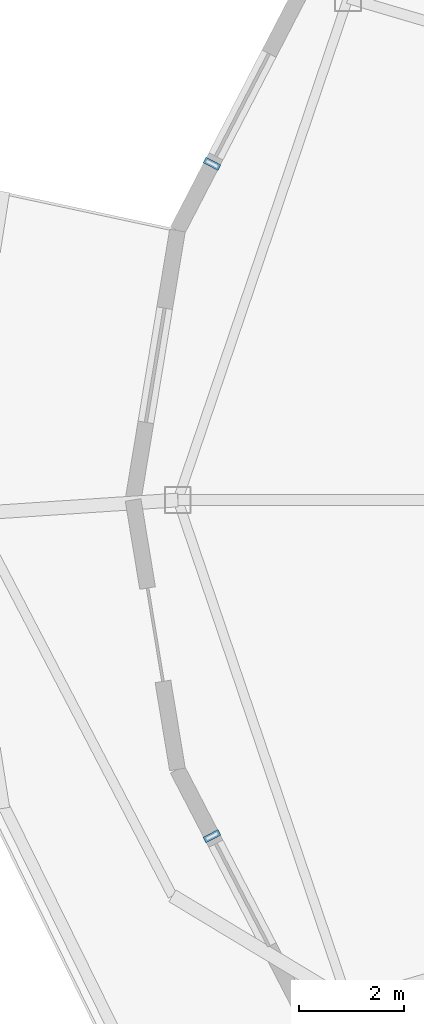
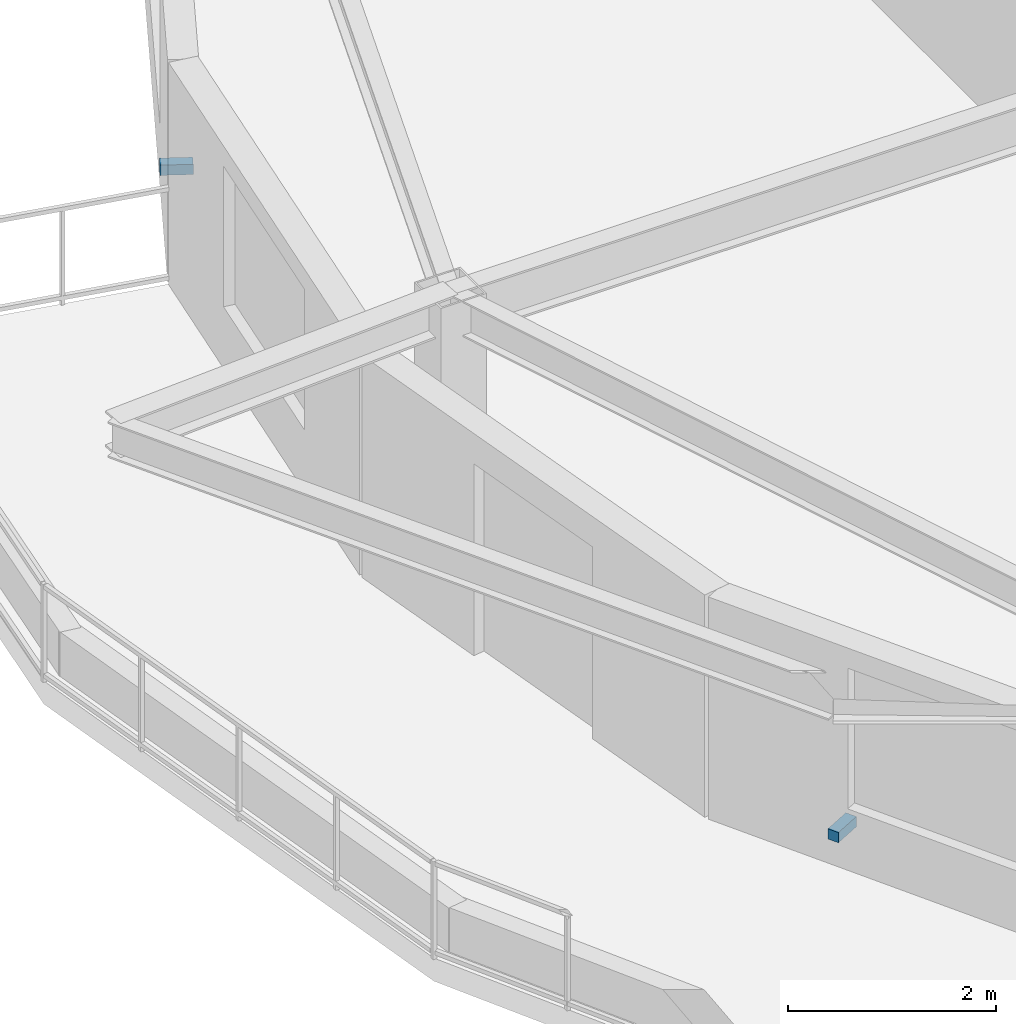
# One storey, part 13 of 19: 2 discrete accessories.
"""IFC4 building model written with IfcOpenShell, lengths in metres."""

from ifc_helpers import new_model, si_unit, direction, frame, origin, origin_2d, place, context, subcontext, project, spatial, rectangle, extrude, material, type_object, element, save


model = new_model("IFC4")

# Units and contexts
model_context = context("Model", 3, precision=1e-05, world=origin(), true_north=direction((0.0, 1.0)))
body_context = subcontext(model_context, "Body", "Model", "MODEL_VIEW")
ifc_project = project(units=[si_unit("LENGTHUNIT", "METRE"), si_unit("AREAUNIT", "SQUARE_METRE"), si_unit("VOLUMEUNIT", "CUBIC_METRE"), si_unit("PLANEANGLEUNIT", "RADIAN"), si_unit("MASSUNIT", "GRAM", prefix="KILO")], contexts=[model_context])

# Site, building, storey
site_placement = place(None, origin())
site = spatial("IfcSite", under=ifc_project, at=site_placement, CompositionType="ELEMENT")
building_placement = place(site_placement, origin())
building = spatial("IfcBuilding", under=site, at=building_placement, Name="Kolvaren Gate Tower and Convention Centre", CompositionType="ELEMENT")
storey_placement = place(building_placement, frame((0.0, 0.0, 212.89990234375)))
storey = spatial("IfcBuildingStorey", under=building, at=storey_placement, Name="L56", CompositionType="ELEMENT", Elevation=212.89990234375)

# Discrete accessories
ifc_material = material(Name="Anodized Architectural Aluminium Alloy 6063-T6", Category="aluminium")
discrete_accessory_type = type_object("IfcDiscreteAccessoryType", Name="ARCH-ACC-BRACKET-120", PredefinedType="BRACKET", material=ifc_material)
for number, where, z_axis, x_axis, name in (
    (1, (6.87548828125, 33.3935546875, 0.2900390625), (0.0, 0.0, 1.0), (0.459799959359, 0.888022520758, 0.0), "Ceramic Fin Wall Anchor Bracket FBK-L56-10"),
    (2, (6.87548828125, 20.6064453125, 0.2900390625), (0.0, 0.0, 1.0), (0.459799959359, -0.888022520758, 0.0), "Ceramic Fin Wall Anchor Bracket FBK-L56-13"),
):
    element("IfcDiscreteAccessory", number, at=place(storey_placement, frame(where, z_axis=z_axis, x_axis=x_axis)), inside=storey, type_object=discrete_accessory_type, Name=name, PredefinedType="BRACKET", context=body_context, shape_type="SweptSolid", body=[
        extrude(rectangle(XDim=0.1201171875, YDim=0.320068359375, at=origin_2d()), origin(), (0.0, 0.0, 1.0), 0.1201171875),
    ])

save(model, "model.ifc")
